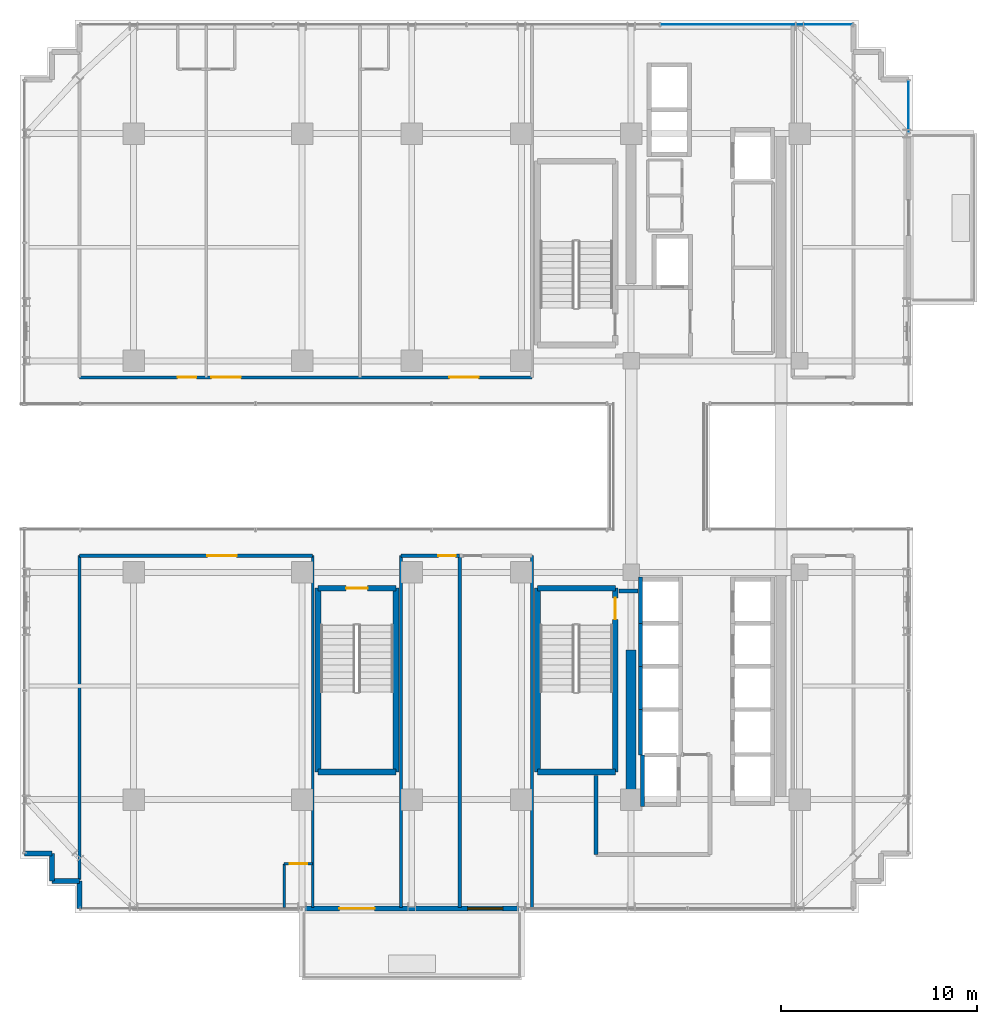
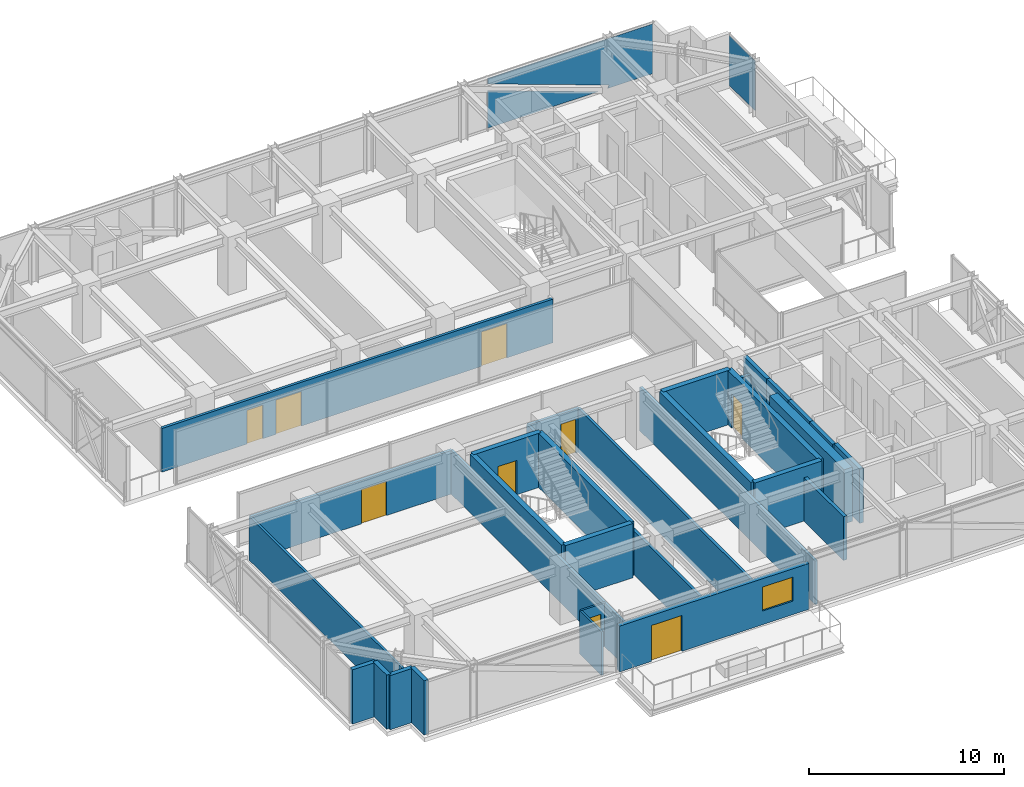
# One storey, part 31 of 38: 31 walls, 9 doors, 2 plates, 1 window, 10 openings, 2 elements without a shape of their own.
"""IFC4 building model written with IfcOpenShell, lengths in metres."""

import ifcopenshell
import ifcopenshell.guid

model = None  # the IFC model being written
_history = None  # IfcOwnerHistory: only IFC2X3 demands one
_inside = {}  # id of a spatial element -> (the spatial element, [elements in it])
_under = {}  # id of a project, library or spatial element -> (it, [spatial elements below it])
_declared = {}  # id of a project -> (the project, [libraries it declares])
_typed = {}  # id of a type object -> (the type object, [elements of that type])
_made_of = {}  # id of a material, layer set ... -> (it, [elements and type objects made of it])


def new_model(schema):
    """Start an empty IFC model of exactly this schema.

    Asked for "IFC4X3", IfcOpenShell would pick the latest addendum, in which some entities
    have other attributes; the version numbers below select the first issue.
    IFC2X3 requires an IfcOwnerHistory on every rooted entity: one is made here for all.
    """
    global model, _history
    if schema == "IFC4X3":
        model = ifcopenshell.file(schema_version=(4, 3, 0, 0))
    else:
        model = ifcopenshell.file(schema=schema)
    _inside.clear()
    _under.clear()
    _declared.clear()
    _typed.clear()
    _made_of.clear()
    _history = None
    if model.schema == "IFC2X3":
        org = make("IfcOrganization", Name="unknown")
        user = make(
            "IfcPersonAndOrganization",
            ThePerson=make("IfcPerson", FamilyName="unknown"),
            TheOrganization=org,
        )
        app = make(
            "IfcApplication",
            ApplicationDeveloper=org,
            Version="unknown",
            ApplicationFullName="unknown",
            ApplicationIdentifier="unknown",
        )
        _history = make(
            "IfcOwnerHistory",
            OwningUser=user,
            OwningApplication=app,
            ChangeAction="ADDED",
            CreationDate=0,
        )
    return model


def make(cls, **values):
    """One entity of the class cls with the attributes given. An attribute that is None is left unset."""
    return model.create_entity(
        cls, **{name: value for name, value in values.items() if value is not None}
    )


def rooted(cls, **values):
    """An entity with a GlobalId (a new one), such as an element, a storey or a relation."""
    return make(cls, GlobalId=ifcopenshell.guid.new(), OwnerHistory=_history, **values)


def si_unit(unit_type, name, prefix=None):
    """IfcSIUnit, for example si_unit("LENGTHUNIT", "METRE", prefix="MILLI")."""
    return make("IfcSIUnit", UnitType=unit_type, Prefix=prefix, Name=name)


def assignment(units):
    """IfcUnitAssignment: the units of a project."""
    return None if units is None else make("IfcUnitAssignment", Units=units)


def point(xyz):
    """IfcCartesianPoint."""
    return None if xyz is None else make("IfcCartesianPoint", Coordinates=xyz)


def direction(xyz):
    """IfcDirection."""
    return None if xyz is None else make("IfcDirection", DirectionRatios=xyz)


def frame(location, z_axis=None, x_axis=None):
    """IfcAxis2Placement3D, a coordinate frame: its origin and axes. An axis left out is left unset."""
    return make(
        "IfcAxis2Placement3D",
        Location=point(location),
        Axis=direction(z_axis),
        RefDirection=direction(x_axis),
    )


def frame_2d(location, x_axis=None):
    """IfcAxis2Placement2D, a coordinate frame in the plane: its origin and x axis."""
    return make(
        "IfcAxis2Placement2D", Location=point(location), RefDirection=direction(x_axis)
    )


def origin():
    """The frame at (0, 0, 0) with its axes left unset."""
    return frame((0.0, 0.0, 0.0))


def origin_2d():
    """The frame at (0, 0) in the plane with its x axis left unset."""
    return frame_2d((0.0, 0.0))


def place(relative_to, where):
    """IfcLocalPlacement: puts the frame where relative to a parent placement (None: the world)."""
    return make(
        "IfcLocalPlacement", PlacementRelTo=relative_to, RelativePlacement=where
    )


def context(
    kind, dimensions, precision=None, world=None, true_north=None, identifier=None
):
    """IfcGeometricRepresentationContext, for example the 3D "Model" context."""
    return make(
        "IfcGeometricRepresentationContext",
        ContextIdentifier=identifier,
        ContextType=kind,
        CoordinateSpaceDimension=dimensions,
        Precision=precision,
        WorldCoordinateSystem=world,
        TrueNorth=true_north,
    )


def subcontext(parent, identifier, kind, view, scale=None):
    """IfcGeometricRepresentationSubContext, for example "Body" below "Model"."""
    return make(
        "IfcGeometricRepresentationSubContext",
        ContextIdentifier=identifier,
        ContextType=kind,
        ParentContext=parent,
        TargetScale=scale,
        TargetView=view,
    )


def project(units=None, contexts=None):
    """IfcProject with its units and contexts."""
    return rooted(
        "IfcProject",
        Name="project",
        RepresentationContexts=contexts,
        UnitsInContext=assignment(units),
    )


def spatial(cls, under=None, at=None, **own):
    """A site, building, storey or space (cls), placed at a placement, below another one or the project."""
    s = rooted(cls, ObjectPlacement=at, **own)
    if under is not None:
        _under.setdefault(under.id(), (under, []))[1].append(s)
    return s


def polyline(points):
    """IfcPolyline through the points."""
    return make("IfcPolyline", Points=[point(p) for p in points])


def profile(cls, at=None, kind="AREA", **sizes):
    """A parametric profile (cls). Its sizes go by their IFC names, for example OverallWidth=200.0."""
    return make(cls, ProfileType=kind, Position=at, **sizes)


def rectangle(**sizes):
    """IfcRectangleProfileDef."""
    return profile("IfcRectangleProfileDef", **sizes)


def outline(outer, holes=None, kind="AREA"):
    """IfcArbitraryClosedProfileDef: a profile drawn as a closed curve; with holes, ...WithVoids."""
    if holes is None:
        return make("IfcArbitraryClosedProfileDef", ProfileType=kind, OuterCurve=outer)
    return make(
        "IfcArbitraryProfileDefWithVoids",
        ProfileType=kind,
        OuterCurve=outer,
        InnerCurves=holes,
    )


def extrude(swept, where, along, depth):
    """IfcExtrudedAreaSolid: the profile swept, set in the frame where, extruded along a direction by depth."""
    return make(
        "IfcExtrudedAreaSolid",
        SweptArea=swept,
        Position=where,
        ExtrudedDirection=direction(along),
        Depth=depth,
    )


def shape(context_of_items, identifier, shape_type, items):
    """IfcShapeRepresentation: the items that make up one representation, for example the "Body"."""
    return make(
        "IfcShapeRepresentation",
        ContextOfItems=context_of_items,
        RepresentationIdentifier=identifier,
        RepresentationType=shape_type,
        Items=items,
    )


def source(mapping_origin, context_of_items, identifier, shape_type, items):
    """IfcRepresentationMap: a shape defined once, which mapped items show again and again."""
    return make(
        "IfcRepresentationMap",
        MappingOrigin=mapping_origin,
        MappedRepresentation=shape(context_of_items, identifier, shape_type, items),
    )


def transform(
    local_origin,
    x_axis=None,
    y_axis=None,
    z_axis=None,
    scale=None,
    scale2=None,
    scale3=None,
    uniform=True,
):
    """IfcCartesianTransformationOperator3D, or its non-uniform kind. x_axis, y_axis, z_axis: its Axis1, 2, 3."""
    if uniform:
        return make(
            "IfcCartesianTransformationOperator3D",
            Axis1=direction(x_axis),
            Axis2=direction(y_axis),
            LocalOrigin=point(local_origin),
            Scale=scale,
            Axis3=direction(z_axis),
        )
    return make(
        "IfcCartesianTransformationOperator3DnonUniform",
        Axis1=direction(x_axis),
        Axis2=direction(y_axis),
        LocalOrigin=point(local_origin),
        Scale=scale,
        Axis3=direction(z_axis),
        Scale2=scale2,
        Scale3=scale3,
    )


def mapped(mapping_source, mapping_target):
    """IfcMappedItem: shows the shape of a source again, moved by a transform."""
    return make(
        "IfcMappedItem", MappingSource=mapping_source, MappingTarget=mapping_target
    )


def material(Name=None, Category=None):
    """IfcMaterial."""
    return make("IfcMaterial", Name=Name, Category=Category)


def layer(
    of_material, thickness, ventilated=None, Name=None, Category=None, Priority=None
):
    """IfcMaterialLayer: one layer of a wall or slab, of a material (None: an air gap)."""
    return make(
        "IfcMaterialLayer",
        Material=of_material,
        LayerThickness=thickness,
        IsVentilated=ventilated,
        Name=Name,
        Category=Category,
        Priority=Priority,
    )


def layer_set(layers, Name=None):
    """IfcMaterialLayerSet."""
    return make("IfcMaterialLayerSet", MaterialLayers=layers, LayerSetName=Name)


def made_of(thing, what):
    """Note that an element or type object is made of a material, layer set ...; save() writes the relation."""
    if what is not None:
        _made_of.setdefault(what.id(), (what, []))[1].append(thing)
    return thing


def type_object(cls, material=None, **own):
    """A type object (cls), such as IfcWallType, which elements share."""
    return made_of(rooted(cls, **own), material)


def element(
    cls,
    number,
    at=None,
    inside=None,
    cuts=None,
    type_object=None,
    material=None,
    context=None,
    identifier="Body",
    shape_type=None,
    held_by="IfcProductDefinitionShape",
    body=None,
    shapes=None,
    **own,
):
    """One element of the class cls, such as IfcWall. Its Tag is "e" and its number.

    at: its placement. inside: the storey or other place that contains it. cuts: it is an
    opening in that element (IfcRelVoidsElement). A single representation is given by context,
    identifier, shape_type and body (its items); several are given by shapes. held_by: the class
    of the entity that holds the representations. save() writes the other relations.
    """
    e = rooted(cls, Tag="e%d" % number, ObjectPlacement=at, **own)
    if body is not None:
        shapes = [shape(context, identifier, shape_type, body)]
    if shapes is not None:
        e.Representation = make(held_by, Representations=shapes)
    if inside is not None:
        _inside.setdefault(inside.id(), (inside, []))[1].append(e)
    if cuts is not None:
        rooted(
            "IfcRelVoidsElement", RelatingBuildingElement=cuts, RelatedOpeningElement=e
        )
    if type_object is not None:
        _typed.setdefault(type_object.id(), (type_object, []))[1].append(e)
    return made_of(e, material)


def fill(opening, filler):
    """IfcRelFillsElement: the door or window that sits in an opening."""
    return rooted(
        "IfcRelFillsElement",
        RelatingOpeningElement=opening,
        RelatedBuildingElement=filler,
    )


def aggregate(whole, parts):
    """IfcRelAggregates: a whole, such as a stair, and the parts it consists of."""
    return rooted("IfcRelAggregates", RelatingObject=whole, RelatedObjects=parts)


def save(model, path):
    """Write the relations noted so far, then the file.

    IfcRelAggregates (storeys below a building ...), IfcRelContainedInSpatialStructure (elements
    in a storey), IfcRelDefinesByType, IfcRelAssociatesMaterial and IfcRelDeclares: one each for
    every whole, place, type object, material and project.
    """
    for whole, parts in _under.values():
        aggregate(whole, parts)
    for where, things in _inside.values():
        rooted(
            "IfcRelContainedInSpatialStructure",
            RelatedElements=things,
            RelatingStructure=where,
        )
    for kind, things in _typed.values():
        rooted("IfcRelDefinesByType", RelatedObjects=things, RelatingType=kind)
    for what, things in _made_of.values():
        rooted("IfcRelAssociatesMaterial", RelatedObjects=things, RelatingMaterial=what)
    for by, libraries in _declared.values():
        rooted("IfcRelDeclares", RelatingContext=by, RelatedDefinitions=libraries)
    model.write(path)


model = new_model("IFC4")

# Units and contexts
model_context = context("Model", 3, precision=1e-05, world=origin(), true_north=direction((0.0, 1.0)))
body_context = subcontext(model_context, "Body", "Model", "MODEL_VIEW")
ifc_project = project(units=[si_unit("LENGTHUNIT", "METRE"), si_unit("AREAUNIT", "SQUARE_METRE"), si_unit("VOLUMEUNIT", "CUBIC_METRE"), si_unit("PLANEANGLEUNIT", "RADIAN"), si_unit("MASSUNIT", "GRAM", prefix="KILO")], contexts=[model_context])

# Site, building, storey
site_placement = place(None, origin())
site = spatial("IfcSite", under=ifc_project, at=site_placement, CompositionType="ELEMENT")
building_placement = place(site_placement, origin())
building = spatial("IfcBuilding", under=site, at=building_placement, Name="Nahalor Promenade Grand Hotel", CompositionType="ELEMENT")
storey_placement = place(building_placement, frame((0.0, 0.0, 163.60009765625)))
storey = spatial("IfcBuildingStorey", under=building, at=storey_placement, Name="L41", CompositionType="ELEMENT", Elevation=163.60009765625)

# Curtain wall, plate
ifc_material_1 = material(Name="Anodised Bronze Aluminium EN AW-6063 T6", Category="aluminium")
curtain_wall_type = type_object("IfcCurtainWallType", Name="CW3 Elliptical-Void Collar Unitised Curtain Wall", PredefinedType="USERDEFINED", material=ifc_material_1)
curtain_wall_1_placement = place(storey_placement, origin())
curtain_wall_1 = element("IfcCurtainWall", 1, at=curtain_wall_1_placement, inside=storey, type_object=curtain_wall_type, Name="L41 Curtain Wall CW-L41-N-1", ObjectType="UNITISED_CURTAIN_WALL", PredefinedType="USERDEFINED")
ifc_material_2 = material(Name="Low-E Laminated Solar Glass", Category="glass")
ifc_layer_1 = layer(ifc_material_2, 0.030029296875)
ifc_layer_set_1 = layer_set([ifc_layer_1], Name="Low-E Laminated Solar Glass")
plate_type = type_object("IfcPlateType", Name="CWP3 High-Wind Laminated Bronze IGU 30mm", PredefinedType="CURTAIN_PANEL", material=ifc_layer_set_1)
plate_1_placement = place(storey_placement, frame((14.802490234375, 22.56005859375, 0.1396484375), z_axis=(0.0, 0.0, 1.0), x_axis=(1.0, 0.0, 0.0)))
plate_1 = element("IfcPlate", 2, at=plate_1_placement, type_object=plate_type, Name="CW-L41-N-1 Glazing Panel 3-0", PredefinedType="CURTAIN_PANEL", context=body_context, shape_type="SweptSolid", body=[
    extrude(outline(polyline([(4.887451171875, 3.110107421875), (-4.887451171875, 3.110107421875), (-4.887451171875, 2.76806640625), (2.28857421875, 0.189697265625), (2.220458984375, 0.0), (4.887451171875, 0.0), (4.887451171875, 3.110107421875)])), frame((0.0, 0.01513671875, 0.0), z_axis=(0.0, -1.0, 0.0), x_axis=(1.0, 0.0, 0.0)), (0.0, 0.0, 1.0), 0.030029296875),
    extrude(outline(polyline([(-4.887451171875, 2.343017578125), (-4.887451171875, 0.0), (1.6337890625, 0.0), (-4.887451171875, 2.343017578125)])), frame((0.0, 0.01513671875, 0.0), z_axis=(0.0, -1.0, 0.0), x_axis=(1.0, 0.0, 0.0)), (0.0, 0.0, 1.0), 0.030029296875),
])
aggregate(curtain_wall_1, [plate_1])

curtain_wall_2_placement = place(storey_placement, origin())
curtain_wall_2 = element("IfcCurtainWall", 3, at=curtain_wall_2_placement, inside=storey, type_object=curtain_wall_type, Name="L41 Curtain Wall CW-L41-E-4", ObjectType="UNITISED_CURTAIN_WALL", PredefinedType="USERDEFINED")
shared_shape_1 = source(origin(), body_context, "Body", "SweptSolid", [
    extrude(rectangle(XDim=2.6201171875, YDim=0.030029296875, at=origin_2d()), origin(), (0.0, 0.0, 1.0), 3.110107421875),
])
plate_2_placement = place(storey_placement, frame((22.56005859375, 18.3798828125, 0.1396484375), z_axis=(0.0, 0.0, 1.0), x_axis=(0.0, 1.0, 0.0)))
plate_2 = element("IfcPlate", 4, at=plate_2_placement, type_object=plate_type, Name="CW-L41-E-4 Glazing Panel 0-0", PredefinedType="CURTAIN_PANEL", context=body_context, shape_type="MappedRepresentation", body=[
    mapped(shared_shape_1, transform((0.0, 0.0, 0.0), scale=1.0)),
])
aggregate(curtain_wall_2, [plate_2])

# Walls
ifc_material_3 = material(Name="Concrete B-60 (C50/60)", Category="concrete")
ifc_layer_2 = layer(ifc_material_3, 0.5)
ifc_layer_set_2 = layer_set([ifc_layer_2], Name="Concrete B-60 (C50/60)")
wall_type_1 = type_object("IfcWallType", Name="Wall-CoreShear-500", PredefinedType="SHEAR", material=ifc_layer_set_2)
shared_shape_2 = source(origin(), body_context, "Body", "SweptSolid", [
    extrude(rectangle(XDim=7.64990234375, YDim=0.5, at=frame_2d((3.824951171875, 0.0))), origin(), (0.0, 0.0, 1.0), 3.389892578125),
])
wall_1_placement = place(storey_placement, frame((8.39990234375, -17.0, 0.0), z_axis=(0.0, 0.0, 1.0), x_axis=(0.0, 1.0, 0.0)))
element("IfcWall", 5, at=wall_1_placement, inside=storey, type_object=wall_type_1, Name="CWALL-L41-SW", PredefinedType="SHEAR", context=body_context, shape_type="MappedRepresentation", body=[
    mapped(shared_shape_2, transform((0.0, 0.0, 0.0), scale=1.0)),
])
ifc_material_4 = material(Name="Concrete B-50 (C40/50)", Category="concrete")
ifc_layer_3 = layer(ifc_material_4, 0.300048828125)
ifc_layer_set_3 = layer_set([ifc_layer_3], Name="Concrete B-50 (C40/50)")
wall_type_2 = type_object("IfcWallType", Name="Wall-ShaftShear-300", PredefinedType="SHEAR", material=ifc_layer_set_3)
shared_shape_3 = source(origin(), body_context, "Body", "SweptSolid", [
    extrude(rectangle(XDim=3.97998046875, YDim=0.300048828125, at=frame_2d((1.989990234375, 0.0))), origin(), (0.0, 0.0, 1.0), 3.389892578125),
])
for number, where, z_axis, x_axis, name in (
    (6, (3.610107421875, -15.590087890625, 0.0), (0.0, 0.0, 1.0), (1.0, 0.0, 0.0), "L41 Exit Stair ST2 Shaft Wall S"),
    (7, (3.610107421875, -6.2099609375, 0.0), (0.0, 0.0, 1.0), (1.0, 0.0, 0.0), "L41 Exit Stair ST2 Shaft Wall N"),
    (8, (-7.590087890625, -15.590087890625, 0.0), (0.0, 0.0, 1.0), (1.0, 0.0, 0.0), "L41 Exit Stair ST3 Shaft Wall S"),
):
    element("IfcWall", number, at=place(storey_placement, frame(where, z_axis=z_axis, x_axis=x_axis)), inside=storey, type_object=wall_type_2, Name=name, PredefinedType="SHEAR", context=body_context, shape_type="MappedRepresentation", body=[
        mapped(shared_shape_3, transform((0.0, 0.0, 0.0), scale=1.0)),
    ])

# Wall, opening, door
wall_2_placement = place(storey_placement, frame((-7.590087890625, -6.2099609375, 0.0), z_axis=(0.0, 0.0, 1.0), x_axis=(1.0, 0.0, 0.0)))
wall_2 = element("IfcWall", 9, at=wall_2_placement, inside=storey, type_object=wall_type_2, Name="L41 Exit Stair ST3 Shaft Wall N", PredefinedType="SHEAR", context=body_context, shape_type="MappedRepresentation", body=[
    mapped(shared_shape_3, transform((0.0, 0.0, 0.0), scale=1.0)),
])
opening_1_placement = place(wall_2_placement, frame((1.43994140625, 0.0, 0.0)))
opening_1 = element("IfcOpeningElement", 10, at=opening_1_placement, cuts=wall_2, Name="Opening D-ST1", PredefinedType="OPENING", context=body_context, shape_type="SweptSolid", body=[
    extrude(rectangle(XDim=1.10009765625, YDim=2.14990234375, at=frame_2d((0.550048828125, 1.074951171875))), frame((0.0, 0.159912109375, 0.0), z_axis=(0.0, -1.0, 0.0), x_axis=(1.0, 0.0, 0.0)), (0.0, 0.0, 1.0), 0.320068359375),
])
ifc_material_5 = material(Name="Steel S355JR", Category="steel")
door_type_1 = type_object("IfcDoorType", Name="Door-StairFire-1100", OperationType="NOTDEFINED", PredefinedType="DOOR", material=ifc_material_5)
shared_shape_4 = source(origin(), body_context, "Body", "SweptSolid", [
    extrude(rectangle(XDim=1.10009765625, YDim=2.14990234375, at=frame_2d((0.550048828125, 1.074951171875))), frame((0.0, 0.02490234375, 0.0), z_axis=(0.0, -1.0, 0.0), x_axis=(1.0, 0.0, 0.0)), (0.0, 0.0, 1.0), 0.050048828125),
])
door_1_placement = place(opening_1_placement, frame((1.10009765625, 0.0, 0.0), z_axis=(0.0, 0.0, 1.0), x_axis=(-1.0, 0.0, 0.0)))
door_1 = element("IfcDoor", 11, at=door_1_placement, inside=storey, type_object=door_type_1, Name="DR-STAIR-ST3-L41", OperationType="SINGLE_SWING_RIGHT", OverallHeight=2.14990234375, OverallWidth=1.10009765625, PredefinedType="DOOR", context=body_context, shape_type="MappedRepresentation", body=[
    mapped(shared_shape_4, transform((0.0, 0.0, 0.0), scale=1.0)),
])
fill(opening_1, door_1)

# Wall
shared_shape_5 = source(origin(), body_context, "Body", "SweptSolid", [
    extrude(rectangle(XDim=9.380126953125, YDim=0.300048828125, at=frame_2d((4.68994140625, 0.0))), origin(), (0.0, 0.0, 1.0), 3.389892578125),
])
wall_3_placement = place(storey_placement, frame((3.610107421875, -15.590087890625, 0.0), z_axis=(0.0, 0.0, 1.0), x_axis=(0.0, 1.0, 0.0)))
element("IfcWall", 12, at=wall_3_placement, inside=storey, type_object=wall_type_2, Name="L41 Exit Stair ST2 Shaft Wall W", PredefinedType="SHEAR", context=body_context, shape_type="MappedRepresentation", body=[
    mapped(shared_shape_5, transform((0.0, 0.0, 0.0), scale=1.0)),
])

# Wall, opening, door
wall_4_placement = place(storey_placement, frame((7.590087890625, -15.590087890625, 0.0), z_axis=(0.0, 0.0, 1.0), x_axis=(0.0, 1.0, 0.0)))
wall_4 = element("IfcWall", 13, at=wall_4_placement, inside=storey, type_object=wall_type_2, Name="L41 Exit Stair ST2 Shaft Wall E", PredefinedType="SHEAR", context=body_context, shape_type="MappedRepresentation", body=[
    mapped(shared_shape_5, transform((0.0, 0.0, 0.0), scale=1.0)),
])
opening_2_placement = place(wall_4_placement, frame((7.7900390625, 0.0, 0.0)))
opening_2 = element("IfcOpeningElement", 14, at=opening_2_placement, cuts=wall_4, Name="Opening D-ST1", PredefinedType="OPENING", context=body_context, shape_type="SweptSolid", body=[
    extrude(rectangle(XDim=1.10009765625, YDim=2.14990234375, at=frame_2d((0.550048828125, 1.074951171875))), frame((0.0, 0.159912109375, 0.0), z_axis=(0.0, -1.0, 0.0), x_axis=(1.0, 0.0, 0.0)), (0.0, 0.0, 1.0), 0.320068359375),
])
door_2_placement = place(opening_2_placement, origin())
door_2 = element("IfcDoor", 15, at=door_2_placement, inside=storey, type_object=door_type_1, Name="DR-STAIR-ST2-L41", OperationType="SINGLE_SWING_RIGHT", OverallHeight=2.14990234375, OverallWidth=1.10009765625, PredefinedType="DOOR", context=body_context, shape_type="MappedRepresentation", body=[
    mapped(shared_shape_4, transform((0.0, 0.0, 0.0), scale=1.0)),
])
fill(opening_2, door_2)

# Walls
for number, where, z_axis, x_axis, name in (
    (16, (-7.590087890625, -15.590087890625, 0.0), (0.0, 0.0, 1.0), (0.0, 1.0, 0.0), "L41 Exit Stair ST3 Shaft Wall W"),
    (17, (-3.610107421875, -15.590087890625, 0.0), (0.0, 0.0, 1.0), (0.0, 1.0, 0.0), "L41 Exit Stair ST3 Shaft Wall E"),
):
    element("IfcWall", number, at=place(storey_placement, frame(where, z_axis=z_axis, x_axis=x_axis)), inside=storey, type_object=wall_type_2, Name=name, PredefinedType="SHEAR", context=body_context, shape_type="MappedRepresentation", body=[
        mapped(shared_shape_5, transform((0.0, 0.0, 0.0), scale=1.0)),
    ])
ifc_layer_4 = layer(ifc_material_4, 0.219970703125)
ifc_layer_set_4 = layer_set([ifc_layer_4], Name="Concrete B-50 (C40/50)")
wall_type_3 = type_object("IfcWallType", Name="Wall-LiftShaft-220", PredefinedType="SHEAR", material=ifc_layer_set_4)
shared_shape_6 = source(origin(), body_context, "Body", "SweptSolid", [
    extrude(rectangle(XDim=2.360107421875, YDim=0.219970703125, at=frame_2d((1.18017578125, 0.0))), origin(), (0.0, 0.0, 1.0), 3.389892578125),
])
wall_5_placement = place(storey_placement, frame((8.8798828125, -8.0, 0.0), z_axis=(0.0, 0.0, 1.0), x_axis=(0.0, 1.0, 0.0)))
element("IfcWall", 18, at=wall_5_placement, inside=storey, type_object=wall_type_3, Name="L41 Lift PL9 Hoistway Wall W", PredefinedType="SHEAR", context=body_context, shape_type="MappedRepresentation", body=[
    mapped(shared_shape_6, transform((0.0, 0.0, 0.0), scale=1.0)),
])
shared_shape_7 = source(origin(), body_context, "Body", "SweptSolid", [
    extrude(rectangle(XDim=2.199951171875, YDim=0.219970703125, at=frame_2d((1.10009765625, 0.0))), origin(), (0.0, 0.0, 1.0), 3.389892578125),
])
for number, where, z_axis, x_axis, name in (
    (19, (8.8798828125, -10.199951171875, 0.0), (0.0, 0.0, 1.0), (0.0, 1.0, 0.0), "L41 Lift PL10 Hoistway Wall W"),
    (20, (8.8798828125, -12.39990234375, 0.0), (0.0, 0.0, 1.0), (0.0, 1.0, 0.0), "L41 Lift PL11 Hoistway Wall W"),
):
    element("IfcWall", number, at=place(storey_placement, frame(where, z_axis=z_axis, x_axis=x_axis)), inside=storey, type_object=wall_type_3, Name=name, PredefinedType="SHEAR", context=body_context, shape_type="MappedRepresentation", body=[
        mapped(shared_shape_7, transform((0.0, 0.0, 0.0), scale=1.0)),
    ])
shared_shape_8 = source(origin(), body_context, "Body", "SweptSolid", [
    extrude(rectangle(XDim=2.3251953125, YDim=0.219970703125, at=frame_2d((1.16259765625, 0.0))), origin(), (0.0, 0.0, 1.0), 3.389892578125),
])
wall_6_placement = place(storey_placement, frame((8.8798828125, -14.72509765625, 0.0), z_axis=(0.0, 0.0, 1.0), x_axis=(0.0, 1.0, 0.0)))
element("IfcWall", 21, at=wall_6_placement, inside=storey, type_object=wall_type_3, Name="L41 Lift PL12 Hoistway Wall W", PredefinedType="SHEAR", context=body_context, shape_type="MappedRepresentation", body=[
    mapped(shared_shape_8, transform((0.0, 0.0, 0.0), scale=1.0)),
])
shared_shape_9 = source(origin(), body_context, "Body", "SweptSolid", [
    extrude(rectangle(XDim=2.635009765625, YDim=0.219970703125, at=frame_2d((1.3173828125, 0.0))), origin(), (0.0, 0.0, 1.0), 3.389892578125),
])
wall_7_placement = place(storey_placement, frame((8.97998046875, -17.360107421875, 0.0), z_axis=(0.0, 0.0, 1.0), x_axis=(0.0, 1.0, 0.0)))
element("IfcWall", 22, at=wall_7_placement, inside=storey, type_object=wall_type_3, Name="L41 Lift FL2 Hoistway Wall W", PredefinedType="SHEAR", context=body_context, shape_type="MappedRepresentation", body=[
    mapped(shared_shape_9, transform((0.0, 0.0, 0.0), scale=1.0)),
])
ifc_material_6 = material(Name="Concrete B-40 (C32/40)", Category="concrete")
ifc_layer_5 = layer(ifc_material_6, 0.25)
ifc_layer_set_5 = layer_set([ifc_layer_5], Name="Concrete B-40 (C32/40)")
wall_type_4 = type_object("IfcWallType", Name="Wall-BronzePier-250", PredefinedType="STANDARD", material=ifc_layer_set_5)
shared_shape_10 = source(origin(), body_context, "Body", "SweptSolid", [
    extrude(rectangle(XDim=1.400146484375, YDim=0.25, at=frame_2d((0.7001953125, 0.0))), origin(), (0.0, 0.0, 1.0), 3.389892578125),
])
for number, where, z_axis, x_axis, name in (
    (23, (-22.56005859375, -19.760009765625, 0.0), (0.0, 0.0, 1.0), (1.0, 0.0, 0.0), "W-L41-SR-13"),
    (24, (-19.760009765625, -22.56005859375, 0.0), (0.0, 0.0, 1.0), (0.0, 1.0, 0.0), "W-L41-SR-16"),
):
    element("IfcWall", number, at=place(storey_placement, frame(where, z_axis=z_axis, x_axis=x_axis)), inside=storey, type_object=wall_type_4, Name=name, PredefinedType="STANDARD", context=body_context, shape_type="MappedRepresentation", body=[
        mapped(shared_shape_10, transform((0.0, 0.0, 0.0), scale=1.0)),
    ])
shared_shape_11 = source(origin(), body_context, "Body", "SweptSolid", [
    extrude(rectangle(XDim=1.39990234375, YDim=0.25, at=frame_2d((0.699951171875, 0.0))), origin(), (0.0, 0.0, 1.0), 3.389892578125),
])
for number, where, z_axis, x_axis, name in (
    (25, (-21.159912109375, -21.159912109375, 0.0), (0.0, 0.0, 1.0), (0.0, 1.0, 0.0), "W-L41-SR-14"),
    (26, (-21.159912109375, -21.159912109375, 0.0), (0.0, 0.0, 1.0), (1.0, 0.0, 0.0), "W-L41-SR-15"),
):
    element("IfcWall", number, at=place(storey_placement, frame(where, z_axis=z_axis, x_axis=x_axis)), inside=storey, type_object=wall_type_4, Name=name, PredefinedType="STANDARD", context=body_context, shape_type="MappedRepresentation", body=[
        mapped(shared_shape_11, transform((0.0, 0.0, 0.0), scale=1.0)),
    ])

# Wall, openings, door, window
ifc_layer_6 = layer(ifc_material_6, 0.260009765625)
ifc_layer_set_6 = layer_set([ifc_layer_6], Name="Concrete B-40 (C32/40)")
wall_type_5 = type_object("IfcWallType", Name="Wall-BalconyWall-260", PredefinedType="STANDARD", material=ifc_layer_set_6)
shared_shape_12 = source(origin(), body_context, "Body", "SweptSolid", [
    extrude(rectangle(XDim=11.199951171875, YDim=0.260009765625, at=frame_2d((5.60009765625, 0.0))), origin(), (0.0, 0.0, 1.0), 2.869873046875),
])
wall_8_placement = place(storey_placement, frame((-8.39990234375, -22.56005859375, 0.0), z_axis=(0.0, 0.0, 1.0), x_axis=(1.0, 0.0, 0.0)))
wall_8 = element("IfcWall", 27, at=wall_8_placement, inside=storey, type_object=wall_type_5, Name="W-L41-BALC-S-2", PredefinedType="STANDARD", context=body_context, shape_type="MappedRepresentation", body=[
    mapped(shared_shape_12, transform((0.0, 0.0, 0.0), scale=1.0)),
])
opening_3_placement = place(wall_8_placement, frame((1.89990234375, 0.0, 0.0)))
opening_3 = element("IfcOpeningElement", 28, at=opening_3_placement, cuts=wall_8, Name="Opening D-BC1", PredefinedType="OPENING", context=body_context, shape_type="SweptSolid", body=[
    extrude(rectangle(XDim=1.800048828125, YDim=2.25, at=frame_2d((0.89990234375, 1.125))), frame((0.0, 0.139892578125, 0.0), z_axis=(0.0, -1.0, 0.0), x_axis=(1.0, 0.0, 0.0)), (0.0, 0.0, 1.0), 0.280029296875),
])
opening_4_placement = place(wall_8_placement, frame((8.449951171875, 0.0, 0.85009765625)))
opening_4 = element("IfcOpeningElement", 29, at=opening_4_placement, cuts=wall_8, Name="Opening WN-01", PredefinedType="OPENING", context=body_context, shape_type="SweptSolid", body=[
    extrude(rectangle(XDim=1.800048828125, YDim=1.5, at=frame_2d((0.89990234375, 0.75))), frame((0.0, 0.139892578125, 0.0), z_axis=(0.0, -1.0, 0.0), x_axis=(1.0, 0.0, 0.0)), (0.0, 0.0, 1.0), 0.280029296875),
])
door_type_2 = type_object("IfcDoorType", Name="Door-BalconySlide-1800", OperationType="DOUBLE_DOOR_SLIDING", PredefinedType="DOOR", material=ifc_material_1)
shared_shape_13 = source(origin(), body_context, "Body", "SweptSolid", [
    extrude(rectangle(XDim=1.800048828125, YDim=2.25, at=frame_2d((0.89990234375, 1.125))), frame((0.0, 0.02490234375, 0.0), z_axis=(0.0, -1.0, 0.0), x_axis=(1.0, 0.0, 0.0)), (0.0, 0.0, 1.0), 0.050048828125),
])
door_3_placement = place(opening_3_placement, frame((1.800048828125, 0.0, 0.0), z_axis=(0.0, 0.0, 1.0), x_axis=(-1.0, 0.0, 0.0)))
door_3 = element("IfcDoor", 30, at=door_3_placement, inside=storey, type_object=door_type_2, Name="DR-L41-BALC-S-2", OperationType="DOUBLE_DOOR_SLIDING", OverallHeight=2.25, OverallWidth=1.800048828125, PredefinedType="DOOR", context=body_context, shape_type="MappedRepresentation", body=[
    mapped(shared_shape_13, transform((0.0, 0.0, 0.0), scale=1.0)),
])
fill(opening_3, door_3)
window_type = type_object("IfcWindowType", Name="Win-ChicagoBay-1800x1500", PartitioningType="SINGLE_PANEL", PredefinedType="WINDOW", material=ifc_material_2)
shared_shape_14 = source(origin(), body_context, "Body", "SweptSolid", [
    extrude(rectangle(XDim=1.800048828125, YDim=1.5, at=frame_2d((0.89990234375, 0.75))), frame((0.0, 0.030029296875, 0.0), z_axis=(0.0, -1.0, 0.0), x_axis=(1.0, 0.0, 0.0)), (0.0, 0.0, 1.0), 0.06005859375),
])
window_placement = place(opening_4_placement, origin())
window = element("IfcWindow", 31, at=window_placement, inside=storey, type_object=window_type, Name="WN-L41-BALC-S-2-1", OverallHeight=1.5, OverallWidth=1.800048828125, PartitioningType="SINGLE_PANEL", PredefinedType="WINDOW", context=body_context, shape_type="MappedRepresentation", body=[
    mapped(shared_shape_14, transform((0.0, 0.0, 0.0), scale=1.0)),
])
fill(opening_4, window)

# Walls
ifc_layer_7 = layer(ifc_material_6, 0.199951171875)
ifc_layer_set_7 = layer_set([ifc_layer_7], Name="Concrete B-40 (C32/40)")
wall_type_6 = type_object("IfcWallType", Name="Wall-PartFire-200", PredefinedType="PARTITIONING", material=ifc_layer_set_7)
shared_shape_15 = source(origin(), body_context, "Body", "SweptSolid", [
    extrude(rectangle(XDim=4.030029296875, YDim=0.199951171875, at=frame_2d((2.01513671875, 0.0))), origin(), (0.0, 0.0, 1.0), 2.72998046875),
])
wall_9_placement = place(storey_placement, frame((6.60009765625, -19.800048828125, 0.0), z_axis=(0.0, 0.0, 1.0), x_axis=(0.0, 1.0, 0.0)))
element("IfcWall", 32, at=wall_9_placement, inside=storey, type_object=wall_type_6, Name="W-L41-FF2-W1", PredefinedType="PARTITIONING", context=body_context, shape_type="MappedRepresentation", body=[
    mapped(shared_shape_15, transform((0.0, 0.0, 0.0), scale=1.0)),
])
shared_shape_16 = source(origin(), body_context, "Body", "SweptSolid", [
    extrude(rectangle(XDim=0.969970703125, YDim=0.199951171875, at=frame_2d((0.48486328125, 0.0))), origin(), (0.0, 0.0, 1.0), 2.72998046875),
])
wall_10_placement = place(storey_placement, frame((7.77001953125, -6.35009765625, 0.0), z_axis=(0.0, 0.0, 1.0), x_axis=(1.0, 0.0, 0.0)))
element("IfcWall", 33, at=wall_10_placement, inside=storey, type_object=wall_type_6, Name="W-L41-FF2-N2", PredefinedType="PARTITIONING", context=body_context, shape_type="MappedRepresentation", body=[
    mapped(shared_shape_16, transform((0.0, 0.0, 0.0), scale=1.0)),
])
ifc_material_7 = material(Name="Acoustic Mineral Gypsum", Category="gypsum")
ifc_layer_8 = layer(ifc_material_7, 0.159912109375)
ifc_layer_set_8 = layer_set([ifc_layer_8], Name="Acoustic Mineral Gypsum")
wall_type_7 = type_object("IfcWallType", Name="Wall-PartCorridor-160", PredefinedType="PARTITIONING", material=ifc_layer_set_8)
shared_shape_17 = source(origin(), body_context, "Body", "SweptSolid", [
    extrude(rectangle(XDim=17.949951171875, YDim=0.159912109375, at=frame_2d((8.97509765625, 0.0))), origin(), (0.0, 0.0, 1.0), 2.72998046875),
])
for number, where, z_axis, x_axis, name in (
    (34, (-3.340087890625, -22.5, 0.0), (0.0, 0.0, 1.0), (0.0, 1.0, 0.0), "W-L41-SCB1-W"),
    (35, (-0.35009765625, -22.5, 0.0), (0.0, 0.0, 1.0), (0.0, 1.0, 0.0), "W-L41-SCB1-E"),
    (36, (3.340087890625, -22.5, 0.0), (0.0, 0.0, 1.0), (0.0, 1.0, 0.0), "W-L41-SCB2-E"),
):
    element("IfcWall", number, at=place(storey_placement, frame(where, z_axis=z_axis, x_axis=x_axis)), inside=storey, type_object=wall_type_7, Name=name, PredefinedType="PARTITIONING", context=body_context, shape_type="MappedRepresentation", body=[
        mapped(shared_shape_17, transform((0.0, 0.0, 0.0), scale=1.0)),
    ])

# Wall, opening, door
ifc_layer_9 = layer(ifc_material_7, 0.1201171875)
ifc_layer_set_9 = layer_set([ifc_layer_9], Name="Acoustic Mineral Gypsum")
wall_type_8 = type_object("IfcWallType", Name="Wall-PartBath-120", PredefinedType="PARTITIONING", material=ifc_layer_set_9)
shared_shape_18 = source(origin(), body_context, "Body", "SweptSolid", [
    extrude(rectangle(XDim=1.449951171875, YDim=0.1201171875, at=frame_2d((0.72509765625, 0.0))), origin(), (0.0, 0.0, 1.0), 2.72998046875),
])
wall_11_placement = place(storey_placement, frame((-9.31005859375, -20.280029296875, 0.0), z_axis=(0.0, 0.0, 1.0), x_axis=(1.0, 0.0, 0.0)))
wall_11 = element("IfcWall", 37, at=wall_11_placement, inside=storey, type_object=wall_type_8, Name="W-L41-S1-BH", PredefinedType="PARTITIONING", context=body_context, shape_type="MappedRepresentation", body=[
    mapped(shared_shape_18, transform((0.0, 0.0, 0.0), scale=1.0)),
])
opening_5_placement = place(wall_11_placement, frame((0.284912109375, 0.0, 0.0)))
opening_5 = element("IfcOpeningElement", 38, at=opening_5_placement, cuts=wall_11, Name="Opening D-03", PredefinedType="OPENING", context=body_context, shape_type="SweptSolid", body=[
    extrude(rectangle(XDim=0.8798828125, YDim=2.10009765625, at=frame_2d((0.43994140625, 1.050048828125))), frame((0.0, 0.070068359375, 0.0), z_axis=(0.0, -1.0, 0.0), x_axis=(1.0, 0.0, 0.0)), (0.0, 0.0, 1.0), 0.14013671875),
])
ifc_material_8 = material(Name="Fire-Rated Timber Composite", Category="wood")
door_type_3 = type_object("IfcDoorType", Name="Door-BathSwing-880", OperationType="NOTDEFINED", PredefinedType="DOOR", material=ifc_material_8)
shared_shape_19 = source(origin(), body_context, "Body", "SweptSolid", [
    extrude(rectangle(XDim=0.8798828125, YDim=2.10009765625, at=frame_2d((0.43994140625, 1.050048828125))), frame((0.0, 0.02490234375, 0.0), z_axis=(0.0, -1.0, 0.0), x_axis=(1.0, 0.0, 0.0)), (0.0, 0.0, 1.0), 0.050048828125),
])
door_4_placement = place(opening_5_placement, frame((0.8798828125, 0.0, 0.0), z_axis=(0.0, 0.0, 1.0), x_axis=(-1.0, 0.0, 0.0)))
door_4 = element("IfcDoor", 39, at=door_4_placement, inside=storey, type_object=door_type_3, Name="DR-L41-S1-BATH", OperationType="SINGLE_SWING_LEFT", OverallHeight=2.10009765625, OverallWidth=0.8798828125, PredefinedType="DOOR", context=body_context, shape_type="MappedRepresentation", body=[
    mapped(shared_shape_19, transform((0.0, 0.0, 0.0), scale=1.0)),
])
fill(opening_5, door_4)

# Walls
shared_shape_20 = source(origin(), body_context, "Body", "SweptSolid", [
    extrude(rectangle(XDim=2.219970703125, YDim=0.1201171875, at=frame_2d((1.10986328125, 0.0))), origin(), (0.0, 0.0, 1.0), 2.72998046875),
])
wall_12_placement = place(storey_placement, frame((-9.31005859375, -22.5, 0.0), z_axis=(0.0, 0.0, 1.0), x_axis=(0.0, 1.0, 0.0)))
element("IfcWall", 40, at=wall_12_placement, inside=storey, type_object=wall_type_8, Name="W-L41-S1-BV", PredefinedType="PARTITIONING", context=body_context, shape_type="MappedRepresentation", body=[
    mapped(shared_shape_20, transform((0.0, 0.0, 0.0), scale=1.0)),
])
ifc_layer_10 = layer(ifc_material_7, 0.139892578125)
ifc_layer_set_10 = layer_set([ifc_layer_10], Name="Acoustic Mineral Gypsum")
wall_type_9 = type_object("IfcWallType", Name="Wall-PartSuite-140", PredefinedType="PARTITIONING", material=ifc_layer_set_10)
shared_shape_21 = source(origin(), body_context, "Body", "SweptSolid", [
    extrude(rectangle(XDim=17.949951171875, YDim=0.139892578125, at=frame_2d((8.97509765625, 0.0))), origin(), (0.0, 0.0, 1.0), 2.72998046875),
])
wall_13_placement = place(storey_placement, frame((-7.860107421875, -22.5, 0.0), z_axis=(0.0, 0.0, 1.0), x_axis=(0.0, 1.0, 0.0)))
element("IfcWall", 41, at=wall_13_placement, inside=storey, type_object=wall_type_9, Name="W-L41-SW-ENDE", PredefinedType="PARTITIONING", context=body_context, shape_type="MappedRepresentation", body=[
    mapped(shared_shape_21, transform((0.0, 0.0, 0.0), scale=1.0)),
])

# Wall, opening, door
shared_shape_22 = source(origin(), body_context, "Body", "SweptSolid", [
    extrude(rectangle(XDim=2.989990234375, YDim=0.159912109375, at=frame_2d((1.4951171875, 0.0))), origin(), (0.0, 0.0, 1.0), 2.72998046875),
])
wall_14_placement = place(storey_placement, frame((-3.340087890625, -4.550048828125, 0.0), z_axis=(0.0, 0.0, 1.0), x_axis=(1.0, 0.0, 0.0)))
wall_14 = element("IfcWall", 42, at=wall_14_placement, inside=storey, type_object=wall_type_7, Name="W-L41-SCB1-N", PredefinedType="PARTITIONING", context=body_context, shape_type="MappedRepresentation", body=[
    mapped(shared_shape_22, transform((0.0, 0.0, 0.0), scale=1.0)),
])
opening_6_placement = place(wall_14_placement, frame((1.89990234375, 0.0, 0.0)))
opening_6 = element("IfcOpeningElement", 43, at=opening_6_placement, cuts=wall_14, Name="Opening D-03", PredefinedType="OPENING", context=body_context, shape_type="SweptSolid", body=[
    extrude(rectangle(XDim=0.8798828125, YDim=2.10009765625, at=frame_2d((0.43994140625, 1.050048828125))), frame((0.0, 0.08984375, 0.0), z_axis=(0.0, -1.0, 0.0), x_axis=(1.0, 0.0, 0.0)), (0.0, 0.0, 1.0), 0.179931640625),
])
door_5_placement = place(opening_6_placement, frame((0.8798828125, 0.0, 0.0), z_axis=(0.0, 0.0, 1.0), x_axis=(-1.0, 0.0, 0.0)))
door_5 = element("IfcDoor", 44, at=door_5_placement, inside=storey, type_object=door_type_3, Name="DR-L41-SCB1", OperationType="SINGLE_SWING_RIGHT", OverallHeight=2.10009765625, OverallWidth=0.8798828125, PredefinedType="DOOR", context=body_context, shape_type="MappedRepresentation", body=[
    mapped(shared_shape_19, transform((0.0, 0.0, 0.0), scale=1.0)),
])
fill(opening_6, door_5)

# Wall, openings, doors
shared_shape_23 = source(origin(), body_context, "Body", "SweptSolid", [
    extrude(rectangle(XDim=23.10009765625, YDim=0.159912109375, at=frame_2d((11.550048828125, 0.0))), origin(), (0.0, 0.0, 1.0), 2.72998046875),
])
wall_15_placement = place(storey_placement, frame((-19.760009765625, 4.550048828125, 0.0), z_axis=(0.0, 0.0, 1.0), x_axis=(1.0, 0.0, 0.0)))
wall_15 = element("IfcWall", 45, at=wall_15_placement, inside=storey, type_object=wall_type_7, Name="W-L41-CORR-N", PredefinedType="PARTITIONING", context=body_context, shape_type="MappedRepresentation", body=[
    mapped(shared_shape_23, transform((0.0, 0.0, 0.0), scale=1.0)),
])
opening_7_placement = place(wall_15_placement, frame((5.010986328125, 0.0, 0.0)))
opening_7 = element("IfcOpeningElement", 46, at=opening_7_placement, cuts=wall_15, Name="Opening D-01", PredefinedType="OPENING", context=body_context, shape_type="SweptSolid", body=[
    extrude(rectangle(XDim=0.949951171875, YDim=2.10009765625, at=frame_2d((0.47509765625, 1.050048828125))), frame((0.0, 0.08984375, 0.0), z_axis=(0.0, -1.0, 0.0), x_axis=(1.0, 0.0, 0.0)), (0.0, 0.0, 1.0), 0.179931640625),
])
opening_8_placement = place(wall_15_placement, frame((6.72998046875, 0.0, 0.0)))
opening_8 = element("IfcOpeningElement", 47, at=opening_8_placement, cuts=wall_15, Name="Opening D-02", PredefinedType="OPENING", context=body_context, shape_type="SweptSolid", body=[
    extrude(rectangle(XDim=1.5, YDim=2.14990234375, at=frame_2d((0.75, 1.074951171875))), frame((0.0, 0.08984375, 0.0), z_axis=(0.0, -1.0, 0.0), x_axis=(1.0, 0.0, 0.0)), (0.0, 0.0, 1.0), 0.179931640625),
])
opening_9_placement = place(wall_15_placement, frame((18.8759765625, 0.0, 0.0)))
opening_9 = element("IfcOpeningElement", 48, at=opening_9_placement, cuts=wall_15, Name="Opening D-02", PredefinedType="OPENING", context=body_context, shape_type="SweptSolid", body=[
    extrude(rectangle(XDim=1.5, YDim=2.14990234375, at=frame_2d((0.75, 1.074951171875))), frame((0.0, 0.08984375, 0.0), z_axis=(0.0, -1.0, 0.0), x_axis=(1.0, 0.0, 0.0)), (0.0, 0.0, 1.0), 0.179931640625),
])
door_type_4 = type_object("IfcDoorType", Name="Door-SuiteDouble-1500", OperationType="DOUBLE_DOOR_SINGLE_SWING", PredefinedType="DOOR", material=ifc_material_8)
shared_shape_24 = source(origin(), body_context, "Body", "SweptSolid", [
    extrude(rectangle(XDim=1.5, YDim=2.14990234375, at=frame_2d((0.75, 1.074951171875))), frame((0.0, 0.02490234375, 0.0), z_axis=(0.0, -1.0, 0.0), x_axis=(1.0, 0.0, 0.0)), (0.0, 0.0, 1.0), 0.050048828125),
])
door_6_placement = place(opening_8_placement, origin())
door_6 = element("IfcDoor", 49, at=door_6_placement, inside=storey, type_object=door_type_4, Name="DR-L41-N2-ENT", OperationType="DOUBLE_DOOR_SINGLE_SWING", OverallHeight=2.14990234375, OverallWidth=1.5, PredefinedType="DOOR", context=body_context, shape_type="MappedRepresentation", body=[
    mapped(shared_shape_24, transform((0.0, 0.0, 0.0), scale=1.0)),
])
fill(opening_8, door_6)
door_7_placement = place(opening_9_placement, origin())
door_7 = element("IfcDoor", 50, at=door_7_placement, inside=storey, type_object=door_type_4, Name="DR-L41-N3-ENT", OperationType="DOUBLE_DOOR_SINGLE_SWING", OverallHeight=2.14990234375, OverallWidth=1.5, PredefinedType="DOOR", context=body_context, shape_type="MappedRepresentation", body=[
    mapped(shared_shape_24, transform((0.0, 0.0, 0.0), scale=1.0)),
])
fill(opening_9, door_7)
door_type_5 = type_object("IfcDoorType", Name="Door-GuestEntry-950", OperationType="NOTDEFINED", PredefinedType="DOOR", material=ifc_material_8)
shared_shape_25 = source(origin(), body_context, "Body", "SweptSolid", [
    extrude(rectangle(XDim=0.949951171875, YDim=2.10009765625, at=frame_2d((0.47509765625, 1.050048828125))), frame((0.0, 0.02490234375, 0.0), z_axis=(0.0, -1.0, 0.0), x_axis=(1.0, 0.0, 0.0)), (0.0, 0.0, 1.0), 0.050048828125),
])
door_8_placement = place(opening_7_placement, origin())
door_8 = element("IfcDoor", 51, at=door_8_placement, inside=storey, type_object=door_type_5, Name="DR-L41-N1-ENT", OperationType="SINGLE_SWING_RIGHT", OverallHeight=2.10009765625, OverallWidth=0.949951171875, PredefinedType="DOOR", context=body_context, shape_type="MappedRepresentation", body=[
    mapped(shared_shape_25, transform((0.0, 0.0, 0.0), scale=1.0)),
])
fill(opening_7, door_8)

# Wall
shared_shape_26 = source(origin(), body_context, "Body", "SweptSolid", [
    extrude(rectangle(XDim=16.530029296875, YDim=0.139892578125, at=frame_2d((8.26513671875, 0.0))), origin(), (0.0, 0.0, 1.0), 2.72998046875),
])
wall_16_placement = place(storey_placement, frame((-19.760009765625, -21.080078125, 0.0), z_axis=(0.0, 0.0, 1.0), x_axis=(0.0, 1.0, 0.0)))
element("IfcWall", 52, at=wall_16_placement, inside=storey, type_object=wall_type_9, Name="W-L41-SW-ENDW", PredefinedType="PARTITIONING", context=body_context, shape_type="MappedRepresentation", body=[
    mapped(shared_shape_26, transform((0.0, 0.0, 0.0), scale=1.0)),
])

# Wall, opening, door
shared_shape_27 = source(origin(), body_context, "Body", "SweptSolid", [
    extrude(rectangle(XDim=11.89990234375, YDim=0.159912109375, at=frame_2d((5.949951171875, 0.0))), origin(), (0.0, 0.0, 1.0), 2.72998046875),
])
wall_17_placement = place(storey_placement, frame((-19.760009765625, -4.550048828125, 0.0), z_axis=(0.0, 0.0, 1.0), x_axis=(1.0, 0.0, 0.0)))
wall_17 = element("IfcWall", 53, at=wall_17_placement, inside=storey, type_object=wall_type_7, Name="W-L41-CORR-S", PredefinedType="PARTITIONING", context=body_context, shape_type="MappedRepresentation", body=[
    mapped(shared_shape_27, transform((0.0, 0.0, 0.0), scale=1.0)),
])
opening_10_placement = place(wall_17_placement, frame((6.52294921875, 0.0, 0.0)))
opening_10 = element("IfcOpeningElement", 54, at=opening_10_placement, cuts=wall_17, Name="Opening D-02", PredefinedType="OPENING", context=body_context, shape_type="SweptSolid", body=[
    extrude(rectangle(XDim=1.5, YDim=2.14990234375, at=frame_2d((0.75, 1.074951171875))), frame((0.0, 0.08984375, 0.0), z_axis=(0.0, -1.0, 0.0), x_axis=(1.0, 0.0, 0.0)), (0.0, 0.0, 1.0), 0.179931640625),
])
door_9_placement = place(opening_10_placement, frame((1.5, 0.0, 0.0), z_axis=(0.0, 0.0, 1.0), x_axis=(-1.0, 0.0, 0.0)))
door_9 = element("IfcDoor", 55, at=door_9_placement, inside=storey, type_object=door_type_4, Name="DR-L41-S1-ENT", OperationType="DOUBLE_DOOR_SINGLE_SWING", OverallHeight=2.14990234375, OverallWidth=1.5, PredefinedType="DOOR", context=body_context, shape_type="MappedRepresentation", body=[
    mapped(shared_shape_24, transform((0.0, 0.0, 0.0), scale=1.0)),
])
fill(opening_10, door_9)

save(model, "model.ifc")
